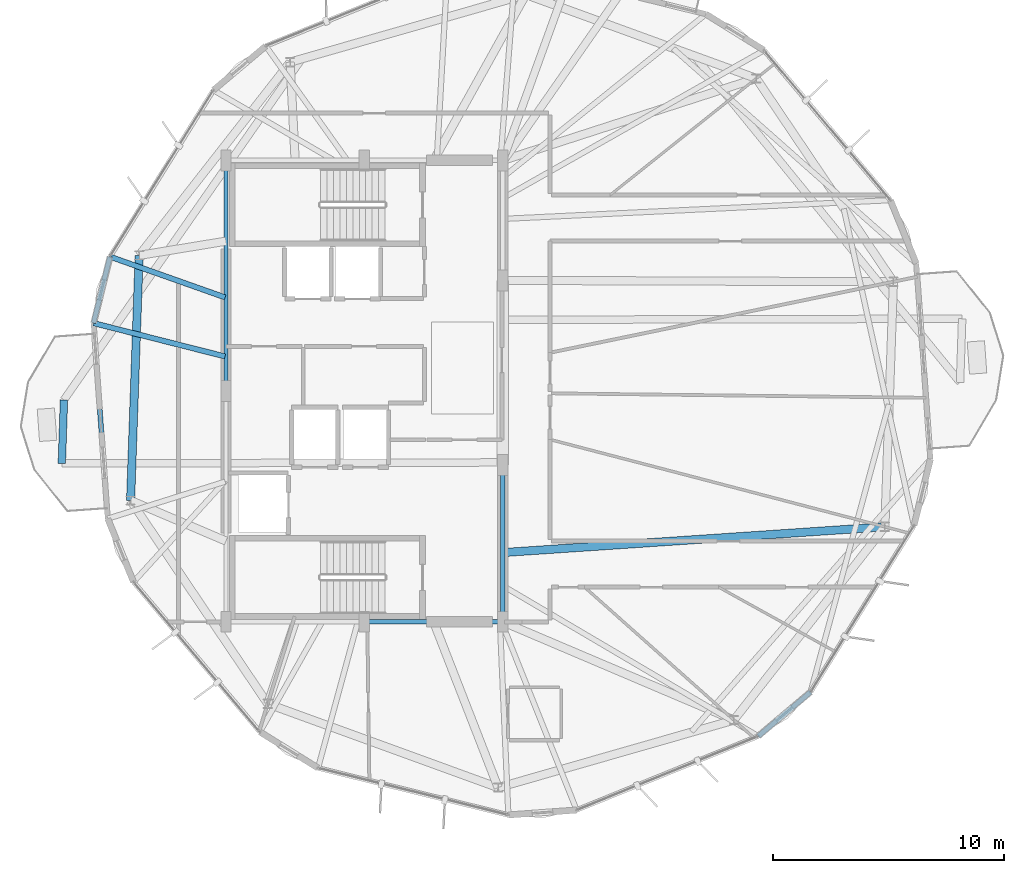
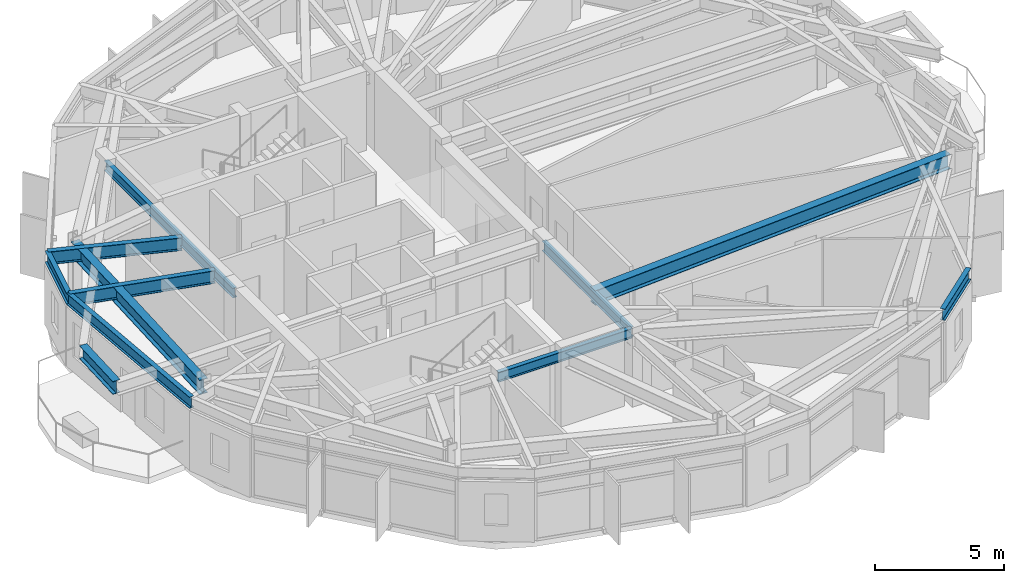
# One storey, part 7 of 26: 11 beams.
"""IFC4 building model written with IfcOpenShell, lengths in metres."""

from ifc_helpers import new_model, si_unit, direction, frame, origin, origin_2d, place, context, subcontext, project, spatial, i_section, extrude, material, material_profile, profile_set, type_object, element, save


model = new_model("IFC4")

# Units and contexts
model_context = context("Model", 3, precision=1e-05, world=origin(), true_north=direction((0.0, 1.0)))
body_context = subcontext(model_context, "Body", "Model", "MODEL_VIEW")
ifc_project = project(units=[si_unit("LENGTHUNIT", "METRE"), si_unit("AREAUNIT", "SQUARE_METRE"), si_unit("VOLUMEUNIT", "CUBIC_METRE"), si_unit("PLANEANGLEUNIT", "RADIAN"), si_unit("MASSUNIT", "GRAM", prefix="KILO")], contexts=[model_context])

# Site, building, storey
site_placement = place(None, origin())
site = spatial("IfcSite", under=ifc_project, at=site_placement, CompositionType="ELEMENT")
building_placement = place(site_placement, origin())
building = spatial("IfcBuilding", under=site, at=building_placement, Name="Soratama Intermodal Tower", CompositionType="ELEMENT")
storey_placement = place(building_placement, frame((0.0, 0.0, 246.25)))
storey = spatial("IfcBuildingStorey", under=building, at=storey_placement, Name="L62", CompositionType="ELEMENT", Elevation=246.25)

# Beams
ifc_material_1 = material(Name="Structural steel ASTM A992 Grade 50", Category="steel")
ifc_material_profile_1 = material_profile(ifc_material_1, i_section(OverallWidth=0.324951171875, OverallDepth=0.615966796875, WebThickness=0.013916015625, FlangeThickness=0.021484375, FilletRadius=0.013916015625, at=origin_2d()), Name="W24X117")
ifc_profile_set_1 = profile_set([ifc_material_profile_1], Name="Structural steel ASTM A992 Grade 50")
beam_type_1 = type_object("IfcBeamType", Name="BM-CANT-W24X117", PredefinedType="BEAM", material=ifc_profile_set_1)
beam_1_placement = place(storey_placement, frame((25.577880859375, 24.6201171875, 3.14208984375), z_axis=(-0.033642032042, -0.999433946632, 0.0), x_axis=(0.999433946632, -0.033642032042, 0.0)))
element("IfcBeam", 1, at=beam_1_placement, inside=storey, type_object=beam_type_1, Name="BM-L62-CBHDR-3", PredefinedType="BEAM", context=body_context, shape_type="SweptSolid", body=[
    extrude(i_section(OverallWidth=0.324951171875, OverallDepth=0.615966796875, WebThickness=0.013916015625, FlangeThickness=0.021484375, FilletRadius=0.013916015625, at=origin_2d()), origin(), (0.0, 0.0, 1.0), 2.757568359375),
])
ifc_material_2 = material(Name="Structural steel ASTM A992 Grade 50", Category="steel")
ifc_material_profile_2 = material_profile(ifc_material_2, i_section(OverallWidth=0.19091796875, OverallDepth=0.4599609375, WebThickness=0.010009765625, FlangeThickness=0.01611328125, FilletRadius=0.010986328125, at=origin_2d()), Name="W18X55")
ifc_profile_set_2 = profile_set([ifc_material_profile_2], Name="Structural steel ASTM A992 Grade 50")
beam_type_2 = type_object("IfcBeamType", Name="BM-FLR-W18X55", PredefinedType="BEAM", material=ifc_profile_set_2)
beam_2_placement = place(storey_placement, frame((38.60009765625, 15.0, 3.219970703125), z_axis=(1.0, 0.0, 0.0), x_axis=(0.0, 1.0, 0.0)))
element("IfcBeam", 2, at=beam_2_placement, inside=storey, type_object=beam_type_2, Name="BM-L62-CRING-02", PredefinedType="BEAM", context=body_context, shape_type="SweptSolid", body=[
    extrude(i_section(OverallWidth=0.19091796875, OverallDepth=0.4599609375, WebThickness=0.010009765625, FlangeThickness=0.01611328125, FilletRadius=0.010986328125, at=origin_2d()), origin(), (0.0, 0.0, 1.0), 6.0),
])
beam_3_placement = place(storey_placement, frame((44.60009765625, 15.0, 3.219970703125), z_axis=(0.0, 1.0, 0.0), x_axis=(-1.0, 0.0, 0.0)))
element("IfcBeam", 3, at=beam_3_placement, inside=storey, type_object=beam_type_2, Name="BM-L62-CRING-03", PredefinedType="BEAM", context=body_context, shape_type="SweptSolid", body=[
    extrude(i_section(OverallWidth=0.19091796875, OverallDepth=0.4599609375, WebThickness=0.010009765625, FlangeThickness=0.01611328125, FilletRadius=0.010986328125, at=origin_2d()), origin(), (0.0, 0.0, 1.0), 6.800048828125),
])
beam_4_placement = place(storey_placement, frame((32.60009765625, 35.0, 3.219970703125), z_axis=(0.0, -1.0, 0.0), x_axis=(1.0, 0.0, 0.0)))
element("IfcBeam", 4, at=beam_4_placement, inside=storey, type_object=beam_type_2, Name="BM-L62-CRING-08", PredefinedType="BEAM", context=body_context, shape_type="SweptSolid", body=[
    extrude(i_section(OverallWidth=0.19091796875, OverallDepth=0.4599609375, WebThickness=0.010009765625, FlangeThickness=0.01611328125, FilletRadius=0.010986328125, at=origin_2d()), origin(), (0.0, 0.0, 1.0), 10.0),
])
ifc_material_3 = material(Name="Structural steel ASTM A992 Grade 50", Category="steel")
ifc_material_profile_3 = material_profile(ifc_material_3, i_section(OverallWidth=0.35498046875, OverallDepth=0.695068359375, WebThickness=0.015380859375, FlangeThickness=0.02490234375, FilletRadius=0.01611328125, at=origin_2d()), Name="W27X146")
ifc_profile_set_3 = profile_set([ifc_material_profile_3], Name="Structural steel ASTM A992 Grade 50")
beam_type_3 = type_object("IfcBeamType", Name="BM-RING-W27X146", PredefinedType="BEAM", material=ifc_profile_set_3)
beam_5_placement = place(storey_placement, frame((28.8369140625, 30.883056640625, 3.1025390625), z_axis=(-0.034885453879, -0.999391317307, 0.0), x_axis=(0.999391317307, -0.034885453879, 0.0)))
element("IfcBeam", 5, at=beam_5_placement, inside=storey, type_object=beam_type_3, Name="BM-L62-RING-05", PredefinedType="BEAM", context=body_context, shape_type="SweptSolid", body=[
    extrude(i_section(OverallWidth=0.35498046875, OverallDepth=0.695068359375, WebThickness=0.015380859375, FlangeThickness=0.02490234375, FilletRadius=0.01611328125, at=origin_2d()), origin(), (0.0, 0.0, 1.0), 10.630615234375),
])
beam_6_placement = place(storey_placement, frame((44.60009765625, 18.0, 3.1025390625), z_axis=(0.997733912176, 0.067283285401, 0.0), x_axis=(-0.067283285401, 0.997733912176, 0.0)))
element("IfcBeam", 6, at=beam_6_placement, inside=storey, type_object=beam_type_3, Name="BM-L62-RAD-10", PredefinedType="BEAM", context=body_context, shape_type="SweptSolid", body=[
    extrude(i_section(OverallWidth=0.35498046875, OverallDepth=0.695068359375, WebThickness=0.015380859375, FlangeThickness=0.02490234375, FilletRadius=0.01611328125, at=origin_2d()), origin(), (0.0, 0.0, 1.0), 16.6005859375),
])
ifc_material_4 = material(Name="Structural steel ASTM A992 Grade 50", Category="steel")
ifc_material_profile_4 = material_profile(ifc_material_4, i_section(OverallWidth=0.2099609375, OverallDepth=0.537109375, WebThickness=0.010986328125, FlangeThickness=0.017333984375, FilletRadius=0.012939453125, at=origin_2d()), Name="W21X68")
ifc_profile_set_4 = profile_set([ifc_material_profile_4], Name="Structural steel ASTM A992 Grade 50")
beam_type_4 = type_object("IfcBeamType", Name="BM-SPN-W21X68", PredefinedType="SPANDREL", material=ifc_profile_set_4)
beam_7_placement = place(storey_placement, frame((27.571044921875, 30.827880859375, 3.181396484375), z_axis=(-0.239668460267, -0.970854793032, 0.0), x_axis=(0.970854793032, -0.239668460267, 0.0)))
element("IfcBeam", 7, at=beam_7_placement, inside=storey, type_object=beam_type_4, Name="BS-L62-CRN03", PredefinedType="SPANDREL", context=body_context, shape_type="SweptSolid", body=[
    extrude(i_section(OverallWidth=0.2099609375, OverallDepth=0.537109375, WebThickness=0.010986328125, FlangeThickness=0.017333984375, FilletRadius=0.012939453125, at=origin_2d()), origin(), (0.0, 0.0, 1.0), 2.96630859375),
])
beam_8_placement = place(storey_placement, frame((26.860107421875, 27.947998046875, 3.181396484375), z_axis=(0.072234922799, -0.997387645767, 0.0), x_axis=(0.997387645767, 0.072234922799, 0.0)))
element("IfcBeam", 8, at=beam_8_placement, inside=storey, type_object=beam_type_4, Name="BS-L62-F04", PredefinedType="SPANDREL", context=body_context, shape_type="SweptSolid", body=[
    extrude(i_section(OverallWidth=0.2099609375, OverallDepth=0.537109375, WebThickness=0.010986328125, FlangeThickness=0.017333984375, FilletRadius=0.012939453125, at=origin_2d()), origin(), (0.0, 0.0, 1.0), 8.500244140625),
])
beam_9_placement = place(storey_placement, frame((55.675048828125, 10.0400390625, 3.181396484375), z_axis=(0.764430876647, 0.64470569629, 0.0), x_axis=(-0.64470569629, 0.764430876647, 0.0)))
element("IfcBeam", 9, at=beam_9_placement, inside=storey, type_object=beam_type_4, Name="BS-L62-CRN07", PredefinedType="SPANDREL", context=body_context, shape_type="SweptSolid", body=[
    extrude(i_section(OverallWidth=0.2099609375, OverallDepth=0.537109375, WebThickness=0.010986328125, FlangeThickness=0.017333984375, FilletRadius=0.012939453125, at=origin_2d()), origin(), (0.0, 0.0, 1.0), 2.967041015625),
])
ifc_material_5 = material(Name="Structural steel ASTM A992 Grade 50", Category="steel")
ifc_material_profile_5 = material_profile(ifc_material_5, i_section(OverallWidth=0.22900390625, OverallDepth=0.612060546875, WebThickness=0.011962890625, FlangeThickness=0.01953125, FilletRadius=0.012939453125, at=origin_2d()), Name="W24X84")
ifc_profile_set_5 = profile_set([ifc_material_profile_5], Name="Structural steel ASTM A992 Grade 50")
beam_type_5 = type_object("IfcBeamType", Name="BM-TIE-W24X84", PredefinedType="BEAM", material=ifc_profile_set_5)
beam_10_placement = place(storey_placement, frame((32.56201171875, 29.06201171875, 3.14404296875), z_axis=(-0.942732089259, 0.33355090748, 0.0), x_axis=(-0.33355090748, -0.942732089259, 0.0)))
element("IfcBeam", 10, at=beam_10_placement, inside=storey, type_object=beam_type_5, Name="BM-L62-TIE1-03", PredefinedType="BEAM", context=body_context, shape_type="SweptSolid", body=[
    extrude(i_section(OverallWidth=0.22900390625, OverallDepth=0.612060546875, WebThickness=0.011962890625, FlangeThickness=0.01953125, FilletRadius=0.012939453125, at=origin_2d()), origin(), (0.0, 0.0, 1.0), 5.294189453125),
])
beam_11_placement = place(storey_placement, frame((32.56103515625, 26.501953125, 3.14404296875), z_axis=(-0.969304137734, 0.245864777003, 0.0), x_axis=(-0.245864777003, -0.969304137734, 0.0)))
element("IfcBeam", 11, at=beam_11_placement, inside=storey, type_object=beam_type_5, Name="BM-L62-TIE0-04", PredefinedType="BEAM", context=body_context, shape_type="SweptSolid", body=[
    extrude(i_section(OverallWidth=0.22900390625, OverallDepth=0.612060546875, WebThickness=0.011962890625, FlangeThickness=0.01953125, FilletRadius=0.012939453125, at=origin_2d()), origin(), (0.0, 0.0, 1.0), 5.88134765625),
])

save(model, "model.ifc")
